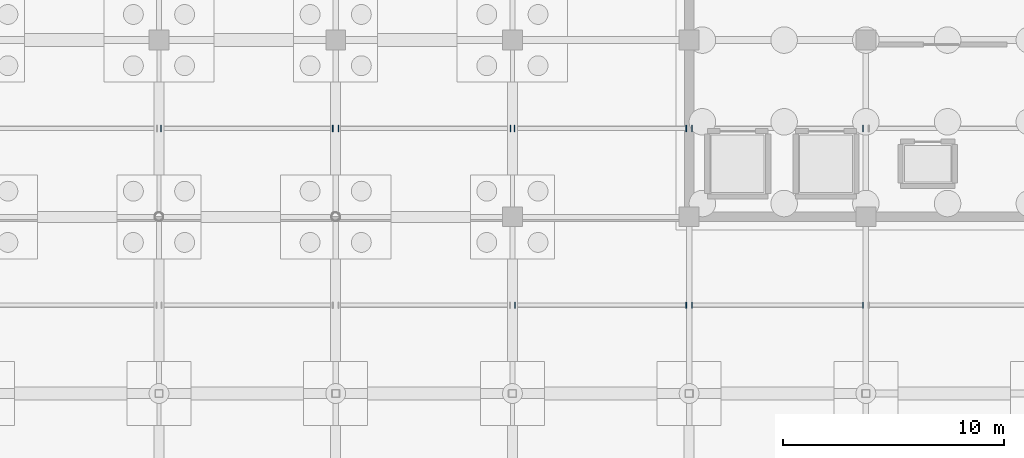
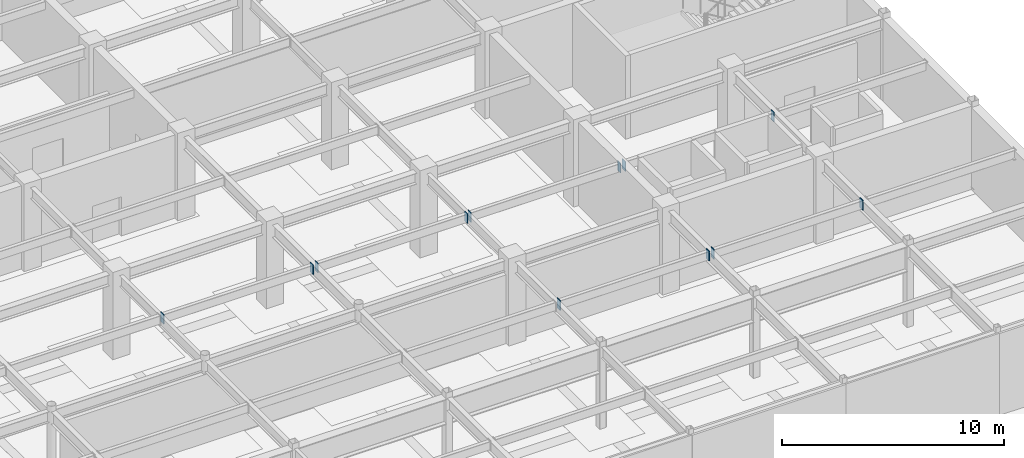
# One storey, part 93 of 105: 12 discrete accessories.
"""IFC4 building model written with IfcOpenShell, lengths in metres."""

from ifc_helpers import new_model, si_unit, direction, frame, origin, origin_2d, place, context, subcontext, project, spatial, rectangle, extrude, material, layer, layer_set, type_object, element, save


model = new_model("IFC4")

# Units and contexts
model_context = context("Model", 3, precision=1e-05, world=origin(), true_north=direction((0.0, 1.0)))
body_context = subcontext(model_context, "Body", "Model", "MODEL_VIEW")
ifc_project = project(units=[si_unit("LENGTHUNIT", "METRE"), si_unit("AREAUNIT", "SQUARE_METRE"), si_unit("VOLUMEUNIT", "CUBIC_METRE"), si_unit("PLANEANGLEUNIT", "RADIAN"), si_unit("MASSUNIT", "GRAM", prefix="KILO")], contexts=[model_context])

# Site, building, storey
site_placement = place(None, origin())
site = spatial("IfcSite", under=ifc_project, at=site_placement, CompositionType="ELEMENT")
building_placement = place(site_placement, origin())
building = spatial("IfcBuilding", under=site, at=building_placement, Name="Solmirada Galleria", CompositionType="ELEMENT")
storey_placement = place(building_placement, frame((0.0, 0.0, -4.800048828125)))
storey = spatial("IfcBuildingStorey", under=building, at=storey_placement, Name="B1", CompositionType="ELEMENT", Elevation=-4.800048828125)

# Discrete accessories
ifc_material = material(Name="Steel S355 / ASTM A572 Grade 50", Category="steel")
ifc_layer = layer(ifc_material, 0.031982421875)
ifc_layer_set = layer_set([ifc_layer], Name="Steel S355 / ASTM A572 Grade 50")
discrete_accessory_type = type_object("IfcDiscreteAccessoryType", Name="ACC-COL-CAP", PredefinedType="BRACKET", material=ifc_layer_set)
for number, where, z_axis, x_axis, name in (
    (1, (136.089111328125, 92.0, 4.00146484375), (0.0, 0.0, 1.0), (1.0, 0.0, 0.0), "Hollow joist end plate L00-18-12-L"),
    (2, (143.8720703125, 92.0, 4.00146484375), (0.0, 0.0, 1.0), (1.0, 0.0, 0.0), "Hollow joist end plate L00-18-12-R"),
    (3, (144.1279296875, 92.0, 4.00146484375), (0.0, 0.0, 1.0), (1.0, 0.0, 0.0), "Hollow joist end plate L00-19-12-L"),
    (4, (151.910888671875, 92.0, 4.00146484375), (0.0, 0.0, 1.0), (1.0, 0.0, 0.0), "Hollow joist end plate L00-19-12-R"),
    (5, (152.114013671875, 84.0, 4.00146484375), (0.0, 0.0, 1.0), (1.0, 0.0, 0.0), "Hollow joist end plate L00-20-11-L"),
    (6, (159.873046875, 84.0, 4.00146484375), (0.0, 0.0, 1.0), (1.0, 0.0, 0.0), "Hollow joist end plate L00-20-11-R"),
    (7, (152.089111328125, 92.0, 4.00146484375), (0.0, 0.0, 1.0), (1.0, 0.0, 0.0), "Hollow joist end plate L00-20-12-L"),
    (8, (159.873046875, 92.0, 4.00146484375), (0.0, 0.0, 1.0), (1.0, 0.0, 0.0), "Hollow joist end plate L00-20-12-R"),
    (9, (160.126953125, 84.0, 4.00146484375), (0.0, 0.0, 1.0), (1.0, 0.0, 0.0), "Hollow joist end plate L00-21-11-L"),
    (10, (167.8720703125, 84.0, 4.00146484375), (0.0, 0.0, 1.0), (1.0, 0.0, 0.0), "Hollow joist end plate L00-21-11-R"),
    (11, (160.126953125, 92.0, 4.00146484375), (0.0, 0.0, 1.0), (1.0, 0.0, 0.0), "Hollow joist end plate L00-21-12-L"),
    (12, (167.8720703125, 92.0, 4.00146484375), (0.0, 0.0, 1.0), (1.0, 0.0, 0.0), "Hollow joist end plate L00-21-12-R"),
):
    element("IfcDiscreteAccessory", number, at=place(storey_placement, frame(where, z_axis=z_axis, x_axis=x_axis)), inside=storey, type_object=discrete_accessory_type, Name=name, PredefinedType="BRACKET", context=body_context, shape_type="SweptSolid", body=[
        extrude(rectangle(XDim=0.035888671875, YDim=0.280029296875, at=origin_2d()), origin(), (0.0, 0.0, 1.0), 0.5400390625),
    ])

save(model, "model.ifc")
